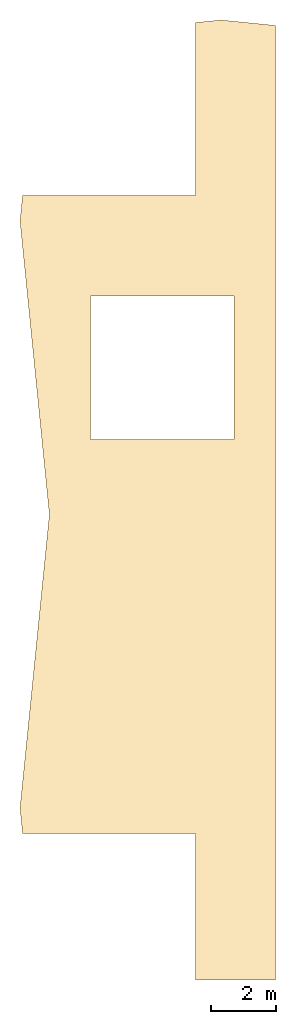
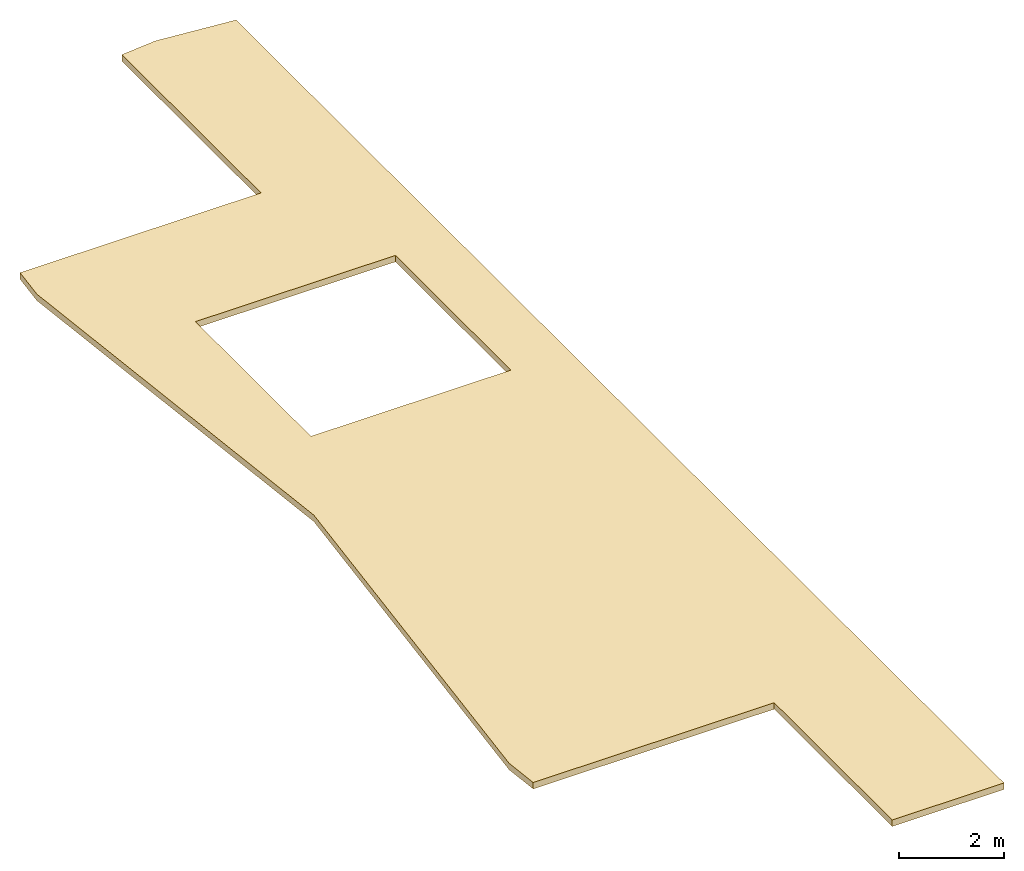
# One storey: 1 covering.
"""IFC4 building model written with IfcOpenShell, lengths in metres."""

from ifc_helpers import new_model, si_unit, direction, frame, origin, place, context, subcontext, project, spatial, polyline, outline, extrude, material, layer, layer_set, type_object, element, save


model = new_model("IFC4")

# Units and contexts
model_context = context("Model", 3, precision=1e-05, world=origin(), true_north=direction((0.0, 1.0)))
body_context = subcontext(model_context, "Body", "Model", "MODEL_VIEW")
ifc_project = project(units=[si_unit("LENGTHUNIT", "METRE"), si_unit("AREAUNIT", "SQUARE_METRE"), si_unit("VOLUMEUNIT", "CUBIC_METRE"), si_unit("PLANEANGLEUNIT", "RADIAN"), si_unit("MASSUNIT", "GRAM", prefix="KILO")], contexts=[model_context])

# Site, building, storey
site_placement = place(None, origin())
site = spatial("IfcSite", under=ifc_project, at=site_placement, CompositionType="ELEMENT")
building_placement = place(site_placement, origin())
building = spatial("IfcBuilding", under=site, at=building_placement, Name="Brondeck Convention Tower", CompositionType="ELEMENT")
storey_placement = place(building_placement, frame((0.0, 0.0, 328.800048828125)))
storey = spatial("IfcBuildingStorey", under=building, at=storey_placement, Name="ROOF 5", CompositionType="ELEMENT", Elevation=328.800048828125)

# Covering
ifc_material_1 = material(Name="Bitumen membrane")
ifc_layer_1 = layer(ifc_material_1, 0.02001953125, Name="Waterproofing")
ifc_material_2 = material(Name="Mineral wool")
ifc_layer_2 = layer(ifc_material_2, 0.280029296875, Name="Insulation")
ifc_layer_set = layer_set([ifc_layer_1, ifc_layer_2], Name="Roof membrane and insulation")
covering_type = type_object("IfcCoveringType", Name="Roof membrane and insulation", PredefinedType="ROOFING", material=ifc_layer_set)
covering_placement = place(storey_placement, origin())
element("IfcCovering", 1, at=covering_placement, inside=storey, type_object=covering_type, Name="ENV-CR-K1-T3-1", PredefinedType="ROOFING", context=body_context, shape_type="SweptSolid", body=[
    extrude(outline(polyline([(8.219970703125, 35.219970703125), (8.219970703125, 30.719970703125), (10.679931640625, 30.719970703125), (10.679931640625, 59.993408203125), (9.0, 60.161376953125), (8.219970703125, 60.08349609375), (8.219970703125, 54.780029296875), (2.91650390625, 54.780029296875), (2.838623046875, 54.0), (3.738525390625, 45.0), (2.838623046875, 36.0), (2.91650390625, 35.219970703125), (8.219970703125, 35.219970703125)]), holes=[polyline([(9.39990234375, 51.699951171875), (9.39990234375, 47.300048828125), (5.0, 47.300048828125), (5.0, 51.699951171875), (9.39990234375, 51.699951171875)])]), origin(), (0.0, 0.0, 1.0), 0.14990234375),
])

save(model, "model.ifc")
